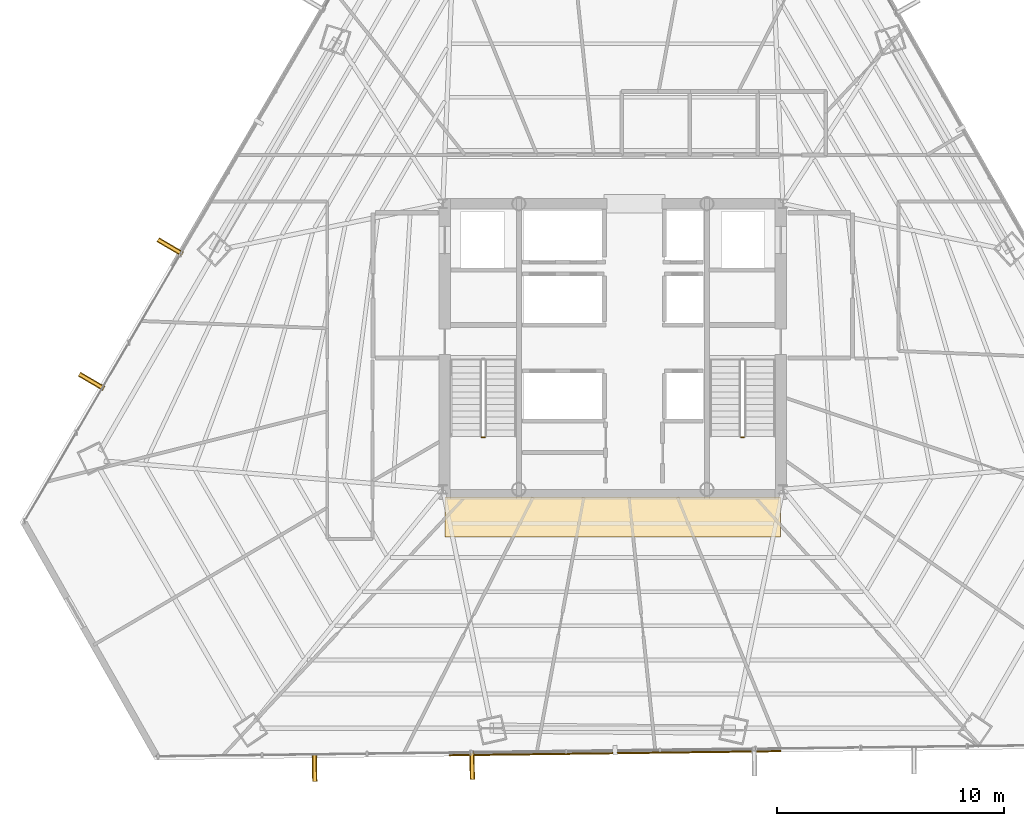
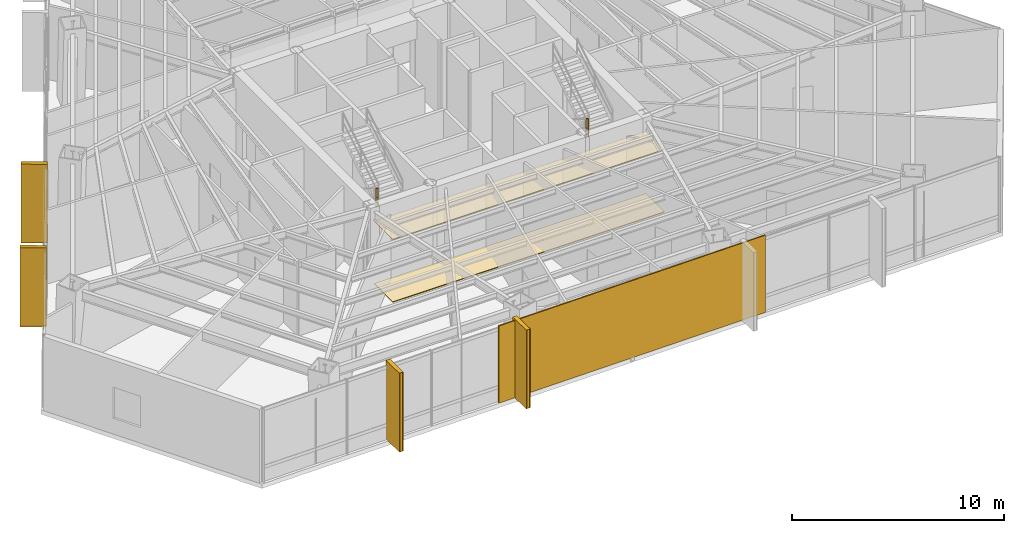
# One storey, part 35 of 37: 6 coverings, 5 shading devices, 2 railings.
"""IFC4 building model written with IfcOpenShell, lengths in metres."""

from ifc_helpers import new_model, si_unit, direction, frame, origin, origin_2d, place, context, subcontext, project, spatial, polyline, rectangle, outline, extrude, source, transform, mapped, material, layer, layer_set, type_object, type_shapes, element, save


model = new_model("IFC4")

# Units and contexts
model_context = context("Model", 3, precision=1e-05, world=origin(), true_north=direction((0.0, 1.0)))
body_context = subcontext(model_context, "Body", "Model", "MODEL_VIEW")
ifc_project = project(units=[si_unit("LENGTHUNIT", "METRE"), si_unit("AREAUNIT", "SQUARE_METRE"), si_unit("VOLUMEUNIT", "CUBIC_METRE"), si_unit("PLANEANGLEUNIT", "RADIAN"), si_unit("MASSUNIT", "GRAM", prefix="KILO")], contexts=[model_context])

# Site, building, storey
site_placement = place(None, origin())
site = spatial("IfcSite", under=ifc_project, at=site_placement, CompositionType="ELEMENT")
building_placement = place(site_placement, origin())
building = spatial("IfcBuilding", under=site, at=building_placement, Name="Caelisora Broadcast Tower", CompositionType="ELEMENT")
storey_placement = place(building_placement, frame((0.0, 0.0, 127.300048828125)))
storey = spatial("IfcBuildingStorey", under=building, at=storey_placement, Name="L33", CompositionType="ELEMENT", Elevation=127.300048828125)

# Coverings
ifc_material_1 = material(Name="Perforated Mineral-Fibre Acoustic Ceiling Tile", Category="gypsum")
ifc_layer_1 = layer(ifc_material_1, 0.034912109375, Name="Perforated Mineral-Fibre Acoustic Ceiling Tile")
ifc_layer_set_1 = layer_set([ifc_layer_1], Name="Perforated Mineral-Fibre Acoustic Ceiling Tile")
covering_type_1 = type_object("IfcCoveringType", Name="CE-1", PredefinedType="CEILING", material=ifc_layer_set_1)
covering_1_placement = place(storey_placement, frame((0.0, 0.0, 3.599853515625)))
element("IfcCovering", 1, at=covering_1_placement, inside=storey, type_object=covering_type_1, Name="L33 acoustic corridor ceiling CE-1 (S)", PredefinedType="CEILING", context=body_context, shape_type="SweptSolid", body=[
    extrude(outline(polyline([(30.60009765625, 15.300048828125), (45.39990234375, 15.300048828125), (45.39990234375, 17.050048828125), (30.60009765625, 17.050048828125), (30.60009765625, 15.300048828125)])), origin(), (0.0, 0.0, 1.0), 0.03515625),
])
ifc_material_2 = material(Name="Anti-Static Broadcast Raised Access Floor Panel", Category="steel")
ifc_layer_2 = layer(ifc_material_2, 0.044921875, Name="Anti-Static Broadcast Raised Access Floor Panel")
ifc_layer_set_2 = layer_set([ifc_layer_2], Name="Anti-Static Broadcast Raised Access Floor Panel")
covering_type_2 = type_object("IfcCoveringType", Name="FL-1", PredefinedType="FLOORING", material=ifc_layer_set_2)
covering_2_placement = place(storey_placement, origin())
element("IfcCovering", 2, at=covering_2_placement, inside=storey, type_object=covering_type_2, Name="L33 broadcast raised access floor FL-1 (S)", PredefinedType="FLOORING", context=body_context, shape_type="SweptSolid", body=[
    extrude(outline(polyline([(30.60009765625, 15.300048828125), (45.39990234375, 15.300048828125), (45.39990234375, 17.050048828125), (30.60009765625, 17.050048828125), (30.60009765625, 15.300048828125)])), origin(), (0.0, 0.0, 1.0), 0.044921875),
])

# Railings
ifc_material_3 = material(Name="Galvanised Steel Safety Guardrail", Category="steel")
ifc_layer_3 = layer(ifc_material_3, 0.048095703125, Name="Galvanised Steel Safety Guardrail")
ifc_layer_set_3 = layer_set([ifc_layer_3], Name="Galvanised Steel Safety Guardrail")
railing_type = type_object("IfcRailingType", Name="GR-1", PredefinedType="GUARDRAIL", material=ifc_layer_set_3)
for number, where, name in (
    (3, (32.219970703125, 19.68994140625, 2.25), "L33 ST-1 stair guard 2"),
    (4, (43.659912109375, 19.68994140625, 2.25), "L33 ST-2 stair guard 2"),
):
    element("IfcRailing", number, at=place(storey_placement, frame(where)), inside=storey, type_object=railing_type, Name=name, PredefinedType="GUARDRAIL", context=body_context, shape_type="SweptSolid", body=[
        extrude(rectangle(XDim=0.048095703125, YDim=0.048095703125, at=origin_2d()), frame((0.0, 0.0, 1.076171875), z_axis=(1.0, 0.0, 0.0), x_axis=(0.0, 1.0, 0.0)), (0.0, 0.0, 1.0), 0.1201171875),
        extrude(rectangle(XDim=0.03125, YDim=0.03125, at=origin_2d()), frame((0.0, 0.0, 0.550048828125), z_axis=(1.0, 0.0, 0.0), x_axis=(0.0, 1.0, 0.0)), (0.0, 0.0, 1.0), 0.1201171875),
        extrude(rectangle(XDim=0.0419921875, YDim=0.0419921875, at=origin_2d()), origin(), (0.0, 0.0, 1.0), 1.052001953125),
        extrude(rectangle(XDim=0.0419921875, YDim=0.0419921875, at=origin_2d()), frame((0.1201171875, 0.0, 0.0)), (0.0, 0.0, 1.0), 1.052001953125),
    ])

# Coverings
ifc_material_4 = material(Name="Kiln-Fired Terracotta Spandrel Rainscreen Cladding", Category="ceramic")
ifc_layer_4 = layer(ifc_material_4, 0.044921875, Name="Kiln-Fired Terracotta Spandrel Rainscreen Cladding")
ifc_layer_set_4 = layer_set([ifc_layer_4], Name="Kiln-Fired Terracotta Spandrel Rainscreen Cladding")
covering_type_3 = type_object("IfcCoveringType", Name="CL-1", PredefinedType="CLADDING", material=ifc_layer_set_4)
shared_shape_1 = source(origin(), body_context, "Body", "SweptSolid", [
    extrude(rectangle(XDim=0.219970703125, YDim=1.25, at=origin_2d()), origin(), (0.0, 0.0, 1.0), 4.5400390625),
])
type_shapes(covering_type_3, [shared_shape_1])
for number, where, z_axis, x_axis, name in (
    (5, (31.794189453125, 5.229248046875, -0.02001953125), (0.0, 0.0, 1.0), (-0.999921044204, -0.012566039883, 0.0), "L33 vertical solar fin cladding #2-3"),
    (6, (24.8427734375, 5.14208984375, -0.02001953125), (0.0, 0.0, 1.0), (-0.999921044204, -0.012566039883, 0.0), "L33 vertical solar fin cladding #2-4"),
    (7, (15.00341796875, 22.1630859375, -0.02001953125), (0.0, 0.0, 1.0), (0.504527623815, 0.863395550607, 0.0), "L33 vertical solar fin cladding #3-1"),
    (8, (18.47119140625, 28.097412109375, -0.02001953125), (0.0, 0.0, 1.0), (0.504527623815, 0.863395550607, 0.0), "L33 vertical solar fin cladding #3-2"),
):
    element("IfcCovering", number, at=place(storey_placement, frame(where, z_axis=z_axis, x_axis=x_axis)), inside=storey, type_object=covering_type_3, Name=name, PredefinedType="CLADDING", context=body_context, shape_type="MappedRepresentation", body=[
        mapped(shared_shape_1, transform((0.0, 0.0, 0.0), scale=1.0)),
    ])

# Shading devices
ifc_material_5 = material(Name="Extruded Terracotta Flaring Colonnade Fin", Category="ceramic")
ifc_layer_5 = layer(ifc_material_5, 0.139892578125, Name="Extruded Terracotta Flaring Colonnade Fin")
ifc_layer_set_5 = layer_set([ifc_layer_5], Name="Extruded Terracotta Flaring Colonnade Fin")
shading_device_type_1 = type_object("IfcShadingDeviceType", Name="FN-1", PredefinedType="USERDEFINED", material=ifc_layer_set_5)
shared_shape_2 = source(origin(), body_context, "Body", "SweptSolid", [
    extrude(rectangle(XDim=0.139892578125, YDim=1.25, at=origin_2d()), origin(), (0.0, 0.0, 1.0), 4.52001953125),
])
type_shapes(shading_device_type_1, [shared_shape_2])
for number, where, z_axis, x_axis, name in (
    (9, (31.794189453125, 5.229248046875, -0.010009765625), (0.0, 0.0, 1.0), (-0.999921044204, -0.012566039883, 0.0), "L33 vertical terracotta fin #2-3"),
    (10, (24.8427734375, 5.14208984375, -0.010009765625), (0.0, 0.0, 1.0), (-0.999921044204, -0.012566039883, 0.0), "L33 vertical terracotta fin #2-4"),
    (11, (15.00341796875, 22.1630859375, -0.010009765625), (0.0, 0.0, 1.0), (0.504527623815, 0.863395550607, 0.0), "L33 vertical terracotta fin #3-1"),
    (12, (18.47119140625, 28.097412109375, -0.010009765625), (0.0, 0.0, 1.0), (0.504527623815, 0.863395550607, 0.0), "L33 vertical terracotta fin #3-2"),
):
    element("IfcShadingDevice", number, at=place(storey_placement, frame(where, z_axis=z_axis, x_axis=x_axis)), inside=storey, type_object=shading_device_type_1, Name=name, ObjectType="FIN", PredefinedType="USERDEFINED", context=body_context, shape_type="MappedRepresentation", body=[
        mapped(shared_shape_2, transform((0.0, 0.0, 0.0), scale=1.0)),
    ])
ifc_material_6 = material(Name="Perforated Glazed Terracotta Baguette Solar Screen", Category="ceramic")
ifc_layer_6 = layer(ifc_material_6, 0.06494140625, Name="Perforated Glazed Terracotta Baguette Solar Screen")
ifc_layer_set_6 = layer_set([ifc_layer_6], Name="Perforated Glazed Terracotta Baguette Solar Screen")
shading_device_type_2 = type_object("IfcShadingDeviceType", Name="SS-1", PredefinedType="USERDEFINED", material=ifc_layer_set_6)
shared_shape_3 = source(origin(), body_context, "Body", "SweptSolid", [
    extrude(rectangle(XDim=14.623046875, YDim=0.06494140625, at=origin_2d()), origin(), (0.0, 0.0, 1.0), 4.43994140625),
])
type_shapes(shading_device_type_2, [shared_shape_3])
shading_device_placement = place(storey_placement, frame((38.1044921875, 5.758544921875, 0.0), z_axis=(0.0, 0.0, 1.0), x_axis=(0.999921044204, 0.012566039883, 0.0)))
element("IfcShadingDevice", 13, at=shading_device_placement, inside=storey, type_object=shading_device_type_2, Name="L33 perforated terracotta solar screen #2", ObjectType="SOLAR SCREEN", PredefinedType="USERDEFINED", context=body_context, shape_type="MappedRepresentation", body=[
    mapped(shared_shape_3, transform((0.0, 0.0, 0.0), scale=1.0)),
])

save(model, "model.ifc")
